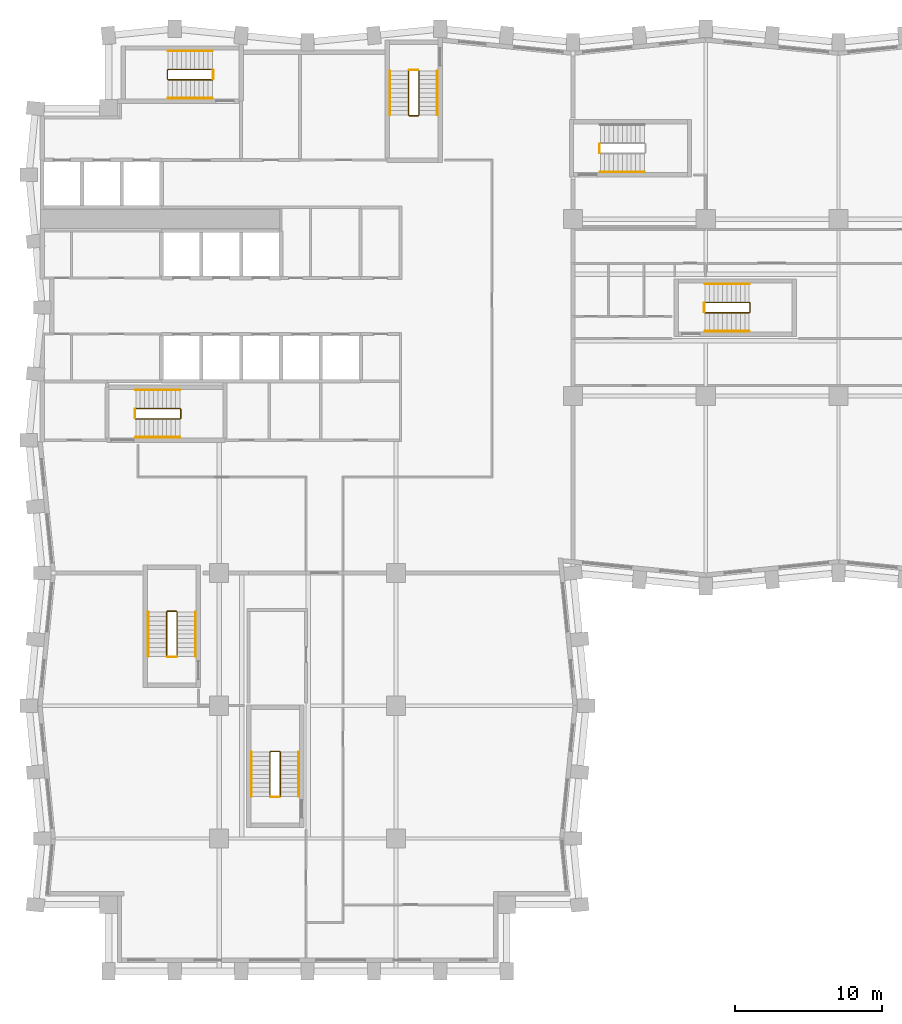
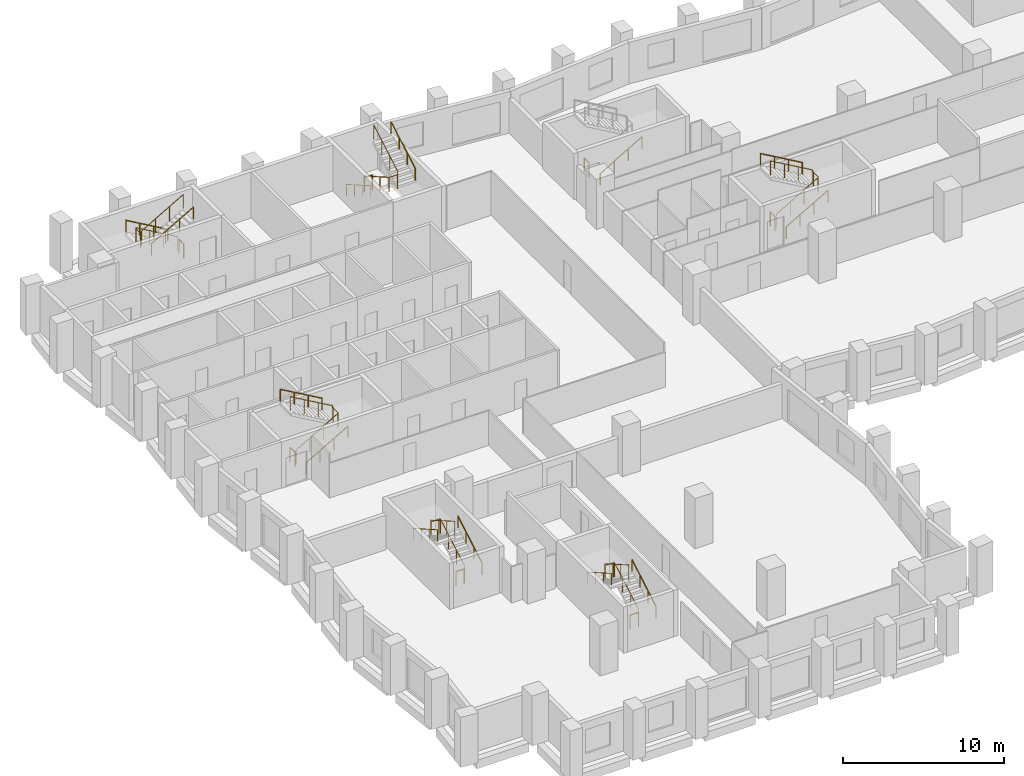
# One storey, part 10 of 11: 26 railings.
"""IFC4 building model written with IfcOpenShell, lengths in metres."""

from ifc_helpers import new_model, si_unit, direction, frame, origin, origin_2d, place, context, subcontext, project, spatial, circle, extrude, material, type_object, element, save


model = new_model("IFC4")

# Units and contexts
model_context = context("Model", 3, precision=1e-05, world=origin(), true_north=direction((0.0, 1.0)))
body_context = subcontext(model_context, "Body", "Model", "MODEL_VIEW")
ifc_project = project(units=[si_unit("LENGTHUNIT", "METRE"), si_unit("AREAUNIT", "SQUARE_METRE"), si_unit("VOLUMEUNIT", "CUBIC_METRE"), si_unit("PLANEANGLEUNIT", "RADIAN"), si_unit("MASSUNIT", "GRAM", prefix="KILO")], contexts=[model_context])

# Site, building, storey
site_placement = place(None, origin())
site = spatial("IfcSite", under=ifc_project, at=site_placement, CompositionType="ELEMENT")
building_placement = place(site_placement, origin())
building = spatial("IfcBuilding", under=site, at=building_placement, Name="Brondeck Convention Tower", CompositionType="ELEMENT")
storey_placement = place(building_placement, frame((0.0, 0.0, 130.300048828125)))
storey = spatial("IfcBuildingStorey", under=building, at=storey_placement, Name="L31", CompositionType="ELEMENT", Elevation=130.300048828125)

# Railings
ifc_material = material(Name="Steel S355", Category="steel")
railing_type_1 = type_object("IfcRailingType", Name="Stair guard 1100", PredefinedType="GUARDRAIL", material=ifc_material)
railing_1_placement = place(storey_placement, frame((6.35009765625, 37.449951171875, 0.172607421875)))
element("IfcRailing", 1, at=railing_1_placement, inside=storey, type_object=railing_type_1, Name="L31 ST-1 stair guard 1", PredefinedType="GUARDRAIL", context=body_context, shape_type="SweptSolid", body=[
    extrude(circle(Radius=0.02392578125, at=origin_2d()), frame((0.0, 0.0, 1.076171875), z_axis=(0.866619684472, 0.0, 0.498969260062), x_axis=(0.0, 1.0, 0.0)), (0.0, 0.0, 1.0), 3.461669921875),
    extrude(circle(Radius=0.02392578125, at=origin_2d()), frame((3.0, 0.0, 2.80322265625), z_axis=(0.705375805398, 0.708833529934, 0.0), x_axis=(-0.708833529934, 0.705375805398, 0.0)), (0.0, 0.0, 1.0), 0.070556640625),
    extrude(circle(Radius=0.02392578125, at=origin_2d()), frame((3.0498046875, 0.050048828125, 2.80322265625), z_axis=(0.0, 1.0, 0.0), x_axis=(-1.0, 0.0, 0.0)), (0.0, 0.0, 1.0), 0.60009765625),
    extrude(circle(Radius=0.02392578125, at=origin_2d()), frame((3.0498046875, 0.650146484375, 2.80322265625), z_axis=(-0.266832911964, 0.266832911964, 0.926067165051), x_axis=(-0.707106781187, -0.707106781187, 0.0)), (0.0, 0.0, 1.0), 0.186767578125),
    extrude(circle(Radius=0.02392578125, at=origin_2d()), frame((3.0, 0.699951171875, 2.97607421875), z_axis=(-0.866619684472, 0.0, 0.498969260062), x_axis=(0.0, -1.0, 0.0)), (0.0, 0.0, 1.0), 3.461669921875),
    extrude(circle(Radius=0.02099609375, at=origin_2d()), origin(), (0.0, 0.0, 1.0), 1.052001953125),
    extrude(circle(Radius=0.02099609375, at=origin_2d()), frame((1.0, 0.0, 0.57568359375)), (0.0, 0.0, 1.0), 1.052001953125),
    extrude(circle(Radius=0.02099609375, at=origin_2d()), frame((2.0, 0.0, 1.151611328125)), (0.0, 0.0, 1.0), 1.052001953125),
    extrude(circle(Radius=0.02099609375, at=origin_2d()), frame((3.0, 0.0, 1.727294921875)), (0.0, 0.0, 1.0), 1.052001953125),
    extrude(circle(Radius=0.02099609375, at=origin_2d()), frame((3.0498046875, 0.050048828125, 1.727294921875)), (0.0, 0.0, 1.0), 1.052001953125),
    extrude(circle(Radius=0.02099609375, at=origin_2d()), frame((3.0498046875, 0.650146484375, 1.727294921875)), (0.0, 0.0, 1.0), 1.052001953125),
    extrude(circle(Radius=0.02099609375, at=origin_2d()), frame((3.0, 0.699951171875, 1.900146484375)), (0.0, 0.0, 1.0), 1.052001953125),
    extrude(circle(Radius=0.02099609375, at=origin_2d()), frame((2.0, 0.699951171875, 2.475830078125)), (0.0, 0.0, 1.0), 1.052001953125),
    extrude(circle(Radius=0.02099609375, at=origin_2d()), frame((1.0, 0.699951171875, 3.0517578125)), (0.0, 0.0, 1.0), 1.052001953125),
    extrude(circle(Radius=0.02099609375, at=origin_2d()), frame((0.0, 0.699951171875, 3.62744140625)), (0.0, 0.0, 1.0), 1.052001953125),
])
railing_2_placement = place(storey_placement, frame((6.300048828125, 37.5, 0.0)))
element("IfcRailing", 2, at=railing_2_placement, inside=storey, type_object=railing_type_1, Name="L31 ST-1 stair guard 2", PredefinedType="GUARDRAIL", context=body_context, shape_type="SweptSolid", body=[
    extrude(circle(Radius=0.02392578125, at=origin_2d()), frame((0.0, 0.0, 1.076171875), z_axis=(0.0, 1.0, 0.0), x_axis=(-1.0, 0.0, 0.0)), (0.0, 0.0, 1.0), 0.60009765625),
    extrude(circle(Radius=0.02099609375, at=origin_2d()), origin(), (0.0, 0.0, 1.0), 1.052001953125),
    extrude(circle(Radius=0.02099609375, at=origin_2d()), frame((0.0, 0.60009765625, 0.0)), (0.0, 0.0, 1.0), 1.052001953125),
])
railing_3_placement = place(storey_placement, frame((24.85009765625, 61.050048828125, 0.172607421875)))
element("IfcRailing", 3, at=railing_3_placement, inside=storey, type_object=railing_type_1, Name="L31 ST-2 stair guard 1", PredefinedType="GUARDRAIL", context=body_context, shape_type="SweptSolid", body=[
    extrude(circle(Radius=0.02392578125, at=origin_2d()), frame((0.0, 0.0, 1.076171875), z_axis=(0.0, -0.866619684472, 0.498969260062), x_axis=(1.0, 0.0, 0.0)), (0.0, 0.0, 1.0), 3.461669921875),
    extrude(circle(Radius=0.02392578125, at=origin_2d()), frame((0.0, -3.0, 2.80322265625), z_axis=(0.705375805398, -0.708833529934, 0.0), x_axis=(0.708833529934, 0.705375805398, 0.0)), (0.0, 0.0, 1.0), 0.070556640625),
    extrude(circle(Radius=0.02392578125, at=origin_2d()), frame((0.0498046875, -3.050048828125, 2.80322265625), z_axis=(1.0, 0.0, 0.0), x_axis=(0.0, 1.0, 0.0)), (0.0, 0.0, 1.0), 0.60009765625),
    extrude(circle(Radius=0.02392578125, at=origin_2d()), frame((0.64990234375, -3.050048828125, 2.80322265625), z_axis=(0.267953482034, 0.267953482034, 0.925419830635), x_axis=(-0.707106781187, 0.707106781187, 0.0)), (0.0, 0.0, 1.0), 0.186767578125),
    extrude(circle(Radius=0.02392578125, at=origin_2d()), frame((0.699951171875, -3.0, 2.97607421875), z_axis=(0.0, 0.866619684472, 0.498969260062), x_axis=(-1.0, 0.0, 0.0)), (0.0, 0.0, 1.0), 3.461669921875),
    extrude(circle(Radius=0.02099609375, at=origin_2d()), origin(), (0.0, 0.0, 1.0), 1.052001953125),
    extrude(circle(Radius=0.02099609375, at=origin_2d()), frame((0.0, -1.0, 0.57568359375)), (0.0, 0.0, 1.0), 1.052001953125),
    extrude(circle(Radius=0.02099609375, at=origin_2d()), frame((0.0, -2.0, 1.151611328125)), (0.0, 0.0, 1.0), 1.052001953125),
    extrude(circle(Radius=0.02099609375, at=origin_2d()), frame((0.0, -3.0, 1.727294921875)), (0.0, 0.0, 1.0), 1.052001953125),
    extrude(circle(Radius=0.02099609375, at=origin_2d()), frame((0.0498046875, -3.050048828125, 1.727294921875)), (0.0, 0.0, 1.0), 1.052001953125),
    extrude(circle(Radius=0.02099609375, at=origin_2d()), frame((0.64990234375, -3.050048828125, 1.727294921875)), (0.0, 0.0, 1.0), 1.052001953125),
    extrude(circle(Radius=0.02099609375, at=origin_2d()), frame((0.699951171875, -3.0, 1.900146484375)), (0.0, 0.0, 1.0), 1.052001953125),
    extrude(circle(Radius=0.02099609375, at=origin_2d()), frame((0.699951171875, -2.0, 2.475830078125)), (0.0, 0.0, 1.0), 1.052001953125),
    extrude(circle(Radius=0.02099609375, at=origin_2d()), frame((0.699951171875, -1.0, 3.0517578125)), (0.0, 0.0, 1.0), 1.052001953125),
    extrude(circle(Radius=0.02099609375, at=origin_2d()), frame((0.699951171875, 0.0, 3.62744140625)), (0.0, 0.0, 1.0), 1.052001953125),
])
railing_4_placement = place(storey_placement, frame((24.89990234375, 61.10009765625, 0.0)))
element("IfcRailing", 4, at=railing_4_placement, inside=storey, type_object=railing_type_1, Name="L31 ST-2 stair guard 2", PredefinedType="GUARDRAIL", context=body_context, shape_type="SweptSolid", body=[
    extrude(circle(Radius=0.02392578125, at=origin_2d()), frame((0.0, 0.0, 1.076171875), z_axis=(1.0, 0.0, 0.0), x_axis=(0.0, 1.0, 0.0)), (0.0, 0.0, 1.0), 0.60009765625),
    extrude(circle(Radius=0.02099609375, at=origin_2d()), origin(), (0.0, 0.0, 1.0), 1.052001953125),
    extrude(circle(Radius=0.02099609375, at=origin_2d()), frame((0.60009765625, 0.0, 0.0)), (0.0, 0.0, 1.0), 1.052001953125),
])
railing_5_placement = place(storey_placement, frame((11.550048828125, 61.14990234375, 0.172607421875)))
element("IfcRailing", 5, at=railing_5_placement, inside=storey, type_object=railing_type_1, Name="L31 ST-3 stair guard 1", PredefinedType="GUARDRAIL", context=body_context, shape_type="SweptSolid", body=[
    extrude(circle(Radius=0.02392578125, at=origin_2d()), frame((0.0, 0.0, 1.076171875), z_axis=(-0.866619684472, 0.0, 0.498969260062), x_axis=(0.0, -1.0, 0.0)), (0.0, 0.0, 1.0), 3.461669921875),
    extrude(circle(Radius=0.02392578125, at=origin_2d()), frame((-3.0, 0.0, 2.80322265625), z_axis=(-0.708833529934, -0.705375805398, 0.0), x_axis=(0.705375805398, -0.708833529934, 0.0)), (0.0, 0.0, 1.0), 0.070556640625),
    extrude(circle(Radius=0.02392578125, at=origin_2d()), frame((-3.050048828125, -0.0498046875, 2.80322265625), z_axis=(0.0, -1.0, 0.0), x_axis=(1.0, 0.0, 0.0)), (0.0, 0.0, 1.0), 0.60009765625),
    extrude(circle(Radius=0.02392578125, at=origin_2d()), frame((-3.050048828125, -0.64990234375, 2.80322265625), z_axis=(0.267953482034, -0.267953482034, 0.925419830635), x_axis=(0.707106781187, 0.707106781187, 0.0)), (0.0, 0.0, 1.0), 0.186767578125),
    extrude(circle(Radius=0.02392578125, at=origin_2d()), frame((-3.0, -0.699951171875, 2.97607421875), z_axis=(0.866619684472, 0.0, 0.498969260062), x_axis=(0.0, 1.0, 0.0)), (0.0, 0.0, 1.0), 3.461669921875),
    extrude(circle(Radius=0.02099609375, at=origin_2d()), origin(), (0.0, 0.0, 1.0), 1.052001953125),
    extrude(circle(Radius=0.02099609375, at=origin_2d()), frame((-1.0, 0.0, 0.57568359375)), (0.0, 0.0, 1.0), 1.052001953125),
    extrude(circle(Radius=0.02099609375, at=origin_2d()), frame((-2.0, 0.0, 1.151611328125)), (0.0, 0.0, 1.0), 1.052001953125),
    extrude(circle(Radius=0.02099609375, at=origin_2d()), frame((-3.0, 0.0, 1.727294921875)), (0.0, 0.0, 1.0), 1.052001953125),
    extrude(circle(Radius=0.02099609375, at=origin_2d()), frame((-3.050048828125, -0.0498046875, 1.727294921875)), (0.0, 0.0, 1.0), 1.052001953125),
    extrude(circle(Radius=0.02099609375, at=origin_2d()), frame((-3.050048828125, -0.64990234375, 1.727294921875)), (0.0, 0.0, 1.0), 1.052001953125),
    extrude(circle(Radius=0.02099609375, at=origin_2d()), frame((-3.0, -0.699951171875, 1.900146484375)), (0.0, 0.0, 1.0), 1.052001953125),
    extrude(circle(Radius=0.02099609375, at=origin_2d()), frame((-2.0, -0.699951171875, 2.475830078125)), (0.0, 0.0, 1.0), 1.052001953125),
    extrude(circle(Radius=0.02099609375, at=origin_2d()), frame((-1.0, -0.699951171875, 3.0517578125)), (0.0, 0.0, 1.0), 1.052001953125),
    extrude(circle(Radius=0.02099609375, at=origin_2d()), frame((0.0, -0.699951171875, 3.62744140625)), (0.0, 0.0, 1.0), 1.052001953125),
])
railing_6_placement = place(storey_placement, frame((11.60009765625, 61.10009765625, 0.0)))
element("IfcRailing", 6, at=railing_6_placement, inside=storey, type_object=railing_type_1, Name="L31 ST-3 stair guard 2", PredefinedType="GUARDRAIL", context=body_context, shape_type="SweptSolid", body=[
    extrude(circle(Radius=0.02392578125, at=origin_2d()), frame((0.0, 0.0, 1.076171875), z_axis=(0.0, -1.0, 0.0), x_axis=(1.0, 0.0, 0.0)), (0.0, 0.0, 1.0), 0.60009765625),
    extrude(circle(Radius=0.02099609375, at=origin_2d()), origin(), (0.0, 0.0, 1.0), 1.052001953125),
    extrude(circle(Radius=0.02099609375, at=origin_2d()), frame((0.0, -0.60009765625, 0.0)), (0.0, 0.0, 1.0), 1.052001953125),
])
railing_7_placement = place(storey_placement, frame((37.800048828125, 55.5, 0.0)))
element("IfcRailing", 7, at=railing_7_placement, inside=storey, type_object=railing_type_1, Name="L31 ST-AE stair guard 2", PredefinedType="GUARDRAIL", context=body_context, shape_type="SweptSolid", body=[
    extrude(circle(Radius=0.02392578125, at=origin_2d()), frame((0.0, 0.0, 1.076171875), z_axis=(0.0, 1.0, 0.0), x_axis=(-1.0, 0.0, 0.0)), (0.0, 0.0, 1.0), 0.60009765625),
    extrude(circle(Radius=0.02099609375, at=origin_2d()), origin(), (0.0, 0.0, 1.0), 1.052001953125),
    extrude(circle(Radius=0.02099609375, at=origin_2d()), frame((0.0, 0.60009765625, 0.0)), (0.0, 0.0, 1.0), 1.052001953125),
])
railing_8_placement = place(storey_placement, frame((9.14990234375, 21.35009765625, 0.172607421875)))
element("IfcRailing", 8, at=railing_8_placement, inside=storey, type_object=railing_type_1, Name="L31 ST-BE stair guard 1", PredefinedType="GUARDRAIL", context=body_context, shape_type="SweptSolid", body=[
    extrude(circle(Radius=0.02392578125, at=origin_2d()), frame((0.0, 0.0, 1.076171875), z_axis=(0.0, 0.866619684472, 0.498969260062), x_axis=(-1.0, 0.0, 0.0)), (0.0, 0.0, 1.0), 3.461669921875),
    extrude(circle(Radius=0.02392578125, at=origin_2d()), frame((0.0, 3.0, 2.80322265625), z_axis=(-0.707106781187, 0.707106781187, 0.0), x_axis=(-0.707106781187, -0.707106781187, 0.0)), (0.0, 0.0, 1.0), 0.0703125),
    extrude(circle(Radius=0.02392578125, at=origin_2d()), frame((-0.0498046875, 3.0498046875, 2.80322265625), z_axis=(-1.0, 0.0, 0.0), x_axis=(0.0, -1.0, 0.0)), (0.0, 0.0, 1.0), 0.60009765625),
    extrude(circle(Radius=0.02392578125, at=origin_2d()), frame((-0.64990234375, 3.0498046875, 2.80322265625), z_axis=(-0.268047150085, -0.266739603011, 0.925743328097), x_axis=(0.705375805398, -0.708833529934, 0.0)), (0.0, 0.0, 1.0), 0.186767578125),
    extrude(circle(Radius=0.02392578125, at=origin_2d()), frame((-0.699951171875, 3.0, 2.97607421875), z_axis=(0.0, -0.866619684472, 0.498969260062), x_axis=(1.0, 0.0, 0.0)), (0.0, 0.0, 1.0), 3.461669921875),
    extrude(circle(Radius=0.02099609375, at=origin_2d()), origin(), (0.0, 0.0, 1.0), 1.052001953125),
    extrude(circle(Radius=0.02099609375, at=origin_2d()), frame((0.0, 1.0, 0.57568359375)), (0.0, 0.0, 1.0), 1.052001953125),
    extrude(circle(Radius=0.02099609375, at=origin_2d()), frame((0.0, 2.0, 1.151611328125)), (0.0, 0.0, 1.0), 1.052001953125),
    extrude(circle(Radius=0.02099609375, at=origin_2d()), frame((0.0, 3.0, 1.727294921875)), (0.0, 0.0, 1.0), 1.052001953125),
    extrude(circle(Radius=0.02099609375, at=origin_2d()), frame((-0.0498046875, 3.0498046875, 1.727294921875)), (0.0, 0.0, 1.0), 1.052001953125),
    extrude(circle(Radius=0.02099609375, at=origin_2d()), frame((-0.64990234375, 3.0498046875, 1.727294921875)), (0.0, 0.0, 1.0), 1.052001953125),
    extrude(circle(Radius=0.02099609375, at=origin_2d()), frame((-0.699951171875, 3.0, 1.900146484375)), (0.0, 0.0, 1.0), 1.052001953125),
    extrude(circle(Radius=0.02099609375, at=origin_2d()), frame((-0.699951171875, 2.0, 2.475830078125)), (0.0, 0.0, 1.0), 1.052001953125),
    extrude(circle(Radius=0.02099609375, at=origin_2d()), frame((-0.699951171875, 1.0, 3.0517578125)), (0.0, 0.0, 1.0), 1.052001953125),
    extrude(circle(Radius=0.02099609375, at=origin_2d()), frame((-0.699951171875, 0.0, 3.62744140625)), (0.0, 0.0, 1.0), 1.052001953125),
])
railing_9_placement = place(storey_placement, frame((9.10009765625, 21.300048828125, 0.0)))
element("IfcRailing", 9, at=railing_9_placement, inside=storey, type_object=railing_type_1, Name="L31 ST-BE stair guard 2", PredefinedType="GUARDRAIL", context=body_context, shape_type="SweptSolid", body=[
    extrude(circle(Radius=0.02392578125, at=origin_2d()), frame((0.0, 0.0, 1.076171875), z_axis=(-1.0, 0.0, 0.0), x_axis=(0.0, -1.0, 0.0)), (0.0, 0.0, 1.0), 0.60009765625),
    extrude(circle(Radius=0.02099609375, at=origin_2d()), origin(), (0.0, 0.0, 1.0), 1.052001953125),
    extrude(circle(Radius=0.02099609375, at=origin_2d()), frame((-0.60009765625, 0.0, 0.0)), (0.0, 0.0, 1.0), 1.052001953125),
])
railing_10_placement = place(storey_placement, frame((44.949951171875, 44.64990234375, 0.172607421875)))
element("IfcRailing", 10, at=railing_10_placement, inside=storey, type_object=railing_type_1, Name="L31 ST-AF stair guard 1", PredefinedType="GUARDRAIL", context=body_context, shape_type="SweptSolid", body=[
    extrude(circle(Radius=0.02392578125, at=origin_2d()), frame((0.0, 0.0, 1.076171875), z_axis=(0.866619684472, 0.0, 0.498969260062), x_axis=(0.0, 1.0, 0.0)), (0.0, 0.0, 1.0), 3.461669921875),
    extrude(circle(Radius=0.02392578125, at=origin_2d()), frame((3.0, 0.0, 2.80322265625), z_axis=(0.707106781187, 0.707106781187, 0.0), x_axis=(-0.707106781187, 0.707106781187, 0.0)), (0.0, 0.0, 1.0), 0.07080078125),
    extrude(circle(Radius=0.02392578125, at=origin_2d()), frame((3.050048828125, 0.050048828125, 2.80322265625), z_axis=(0.0, 1.0, 0.0), x_axis=(-1.0, 0.0, 0.0)), (0.0, 0.0, 1.0), 0.60009765625),
    extrude(circle(Radius=0.02392578125, at=origin_2d()), frame((3.050048828125, 0.650146484375, 2.80322265625), z_axis=(-0.267953482034, 0.267953482034, 0.925419830635), x_axis=(-0.707106781187, -0.707106781187, 0.0)), (0.0, 0.0, 1.0), 0.186767578125),
    extrude(circle(Radius=0.02392578125, at=origin_2d()), frame((3.0, 0.7001953125, 2.97607421875), z_axis=(-0.866619684472, 0.0, 0.498969260062), x_axis=(0.0, -1.0, 0.0)), (0.0, 0.0, 1.0), 3.461669921875),
    extrude(circle(Radius=0.02099609375, at=origin_2d()), origin(), (0.0, 0.0, 1.0), 1.052001953125),
    extrude(circle(Radius=0.02099609375, at=origin_2d()), frame((1.0, 0.0, 0.57568359375)), (0.0, 0.0, 1.0), 1.052001953125),
    extrude(circle(Radius=0.02099609375, at=origin_2d()), frame((2.0, 0.0, 1.151611328125)), (0.0, 0.0, 1.0), 1.052001953125),
    extrude(circle(Radius=0.02099609375, at=origin_2d()), frame((3.0, 0.0, 1.727294921875)), (0.0, 0.0, 1.0), 1.052001953125),
    extrude(circle(Radius=0.02099609375, at=origin_2d()), frame((3.050048828125, 0.050048828125, 1.727294921875)), (0.0, 0.0, 1.0), 1.052001953125),
    extrude(circle(Radius=0.02099609375, at=origin_2d()), frame((3.050048828125, 0.650146484375, 1.727294921875)), (0.0, 0.0, 1.0), 1.052001953125),
    extrude(circle(Radius=0.02099609375, at=origin_2d()), frame((3.0, 0.7001953125, 1.900146484375)), (0.0, 0.0, 1.0), 1.052001953125),
    extrude(circle(Radius=0.02099609375, at=origin_2d()), frame((2.0, 0.7001953125, 2.475830078125)), (0.0, 0.0, 1.0), 1.052001953125),
    extrude(circle(Radius=0.02099609375, at=origin_2d()), frame((1.0, 0.7001953125, 3.0517578125)), (0.0, 0.0, 1.0), 1.052001953125),
    extrude(circle(Radius=0.02099609375, at=origin_2d()), frame((0.0, 0.7001953125, 3.62744140625)), (0.0, 0.0, 1.0), 1.052001953125),
])
railing_11_placement = place(storey_placement, frame((44.89990234375, 44.699951171875, 0.0)))
element("IfcRailing", 11, at=railing_11_placement, inside=storey, type_object=railing_type_1, Name="L31 ST-AF stair guard 2", PredefinedType="GUARDRAIL", context=body_context, shape_type="SweptSolid", body=[
    extrude(circle(Radius=0.02392578125, at=origin_2d()), frame((0.0, 0.0, 1.076171875), z_axis=(0.0, 1.0, 0.0), x_axis=(-1.0, 0.0, 0.0)), (0.0, 0.0, 1.0), 0.60009765625),
    extrude(circle(Radius=0.02099609375, at=origin_2d()), origin(), (0.0, 0.0, 1.0), 1.052001953125),
    extrude(circle(Radius=0.02099609375, at=origin_2d()), frame((0.0, 0.60009765625, 0.0)), (0.0, 0.0, 1.0), 1.052001953125),
])
railing_12_placement = place(storey_placement, frame((16.14990234375, 11.85009765625, 0.172607421875)))
element("IfcRailing", 12, at=railing_12_placement, inside=storey, type_object=railing_type_1, Name="L31 ST-BF stair guard 1", PredefinedType="GUARDRAIL", context=body_context, shape_type="SweptSolid", body=[
    extrude(circle(Radius=0.02392578125, at=origin_2d()), frame((0.0, 0.0, 1.076171875), z_axis=(0.0, 0.866619684472, 0.498969260062), x_axis=(-1.0, 0.0, 0.0)), (0.0, 0.0, 1.0), 3.461669921875),
    extrude(circle(Radius=0.02392578125, at=origin_2d()), frame((0.0, 3.0, 2.80322265625), z_axis=(-0.707106781187, 0.707106781187, 0.0), x_axis=(-0.707106781187, -0.707106781187, 0.0)), (0.0, 0.0, 1.0), 0.0703125),
    extrude(circle(Radius=0.02392578125, at=origin_2d()), frame((-0.0498046875, 3.0498046875, 2.80322265625), z_axis=(-1.0, 0.0, 0.0), x_axis=(0.0, -1.0, 0.0)), (0.0, 0.0, 1.0), 0.60009765625),
    extrude(circle(Radius=0.02392578125, at=origin_2d()), frame((-0.64990234375, 3.0498046875, 2.80322265625), z_axis=(-0.268047150085, -0.266739603011, 0.925743328097), x_axis=(0.705375805398, -0.708833529934, 0.0)), (0.0, 0.0, 1.0), 0.186767578125),
    extrude(circle(Radius=0.02392578125, at=origin_2d()), frame((-0.699951171875, 3.0, 2.97607421875), z_axis=(0.0, -0.866619684472, 0.498969260062), x_axis=(1.0, 0.0, 0.0)), (0.0, 0.0, 1.0), 3.461669921875),
    extrude(circle(Radius=0.02099609375, at=origin_2d()), origin(), (0.0, 0.0, 1.0), 1.052001953125),
    extrude(circle(Radius=0.02099609375, at=origin_2d()), frame((0.0, 1.0, 0.57568359375)), (0.0, 0.0, 1.0), 1.052001953125),
    extrude(circle(Radius=0.02099609375, at=origin_2d()), frame((0.0, 2.0, 1.151611328125)), (0.0, 0.0, 1.0), 1.052001953125),
    extrude(circle(Radius=0.02099609375, at=origin_2d()), frame((0.0, 3.0, 1.727294921875)), (0.0, 0.0, 1.0), 1.052001953125),
    extrude(circle(Radius=0.02099609375, at=origin_2d()), frame((-0.0498046875, 3.0498046875, 1.727294921875)), (0.0, 0.0, 1.0), 1.052001953125),
    extrude(circle(Radius=0.02099609375, at=origin_2d()), frame((-0.64990234375, 3.0498046875, 1.727294921875)), (0.0, 0.0, 1.0), 1.052001953125),
    extrude(circle(Radius=0.02099609375, at=origin_2d()), frame((-0.699951171875, 3.0, 1.900146484375)), (0.0, 0.0, 1.0), 1.052001953125),
    extrude(circle(Radius=0.02099609375, at=origin_2d()), frame((-0.699951171875, 2.0, 2.475830078125)), (0.0, 0.0, 1.0), 1.052001953125),
    extrude(circle(Radius=0.02099609375, at=origin_2d()), frame((-0.699951171875, 1.0, 3.0517578125)), (0.0, 0.0, 1.0), 1.052001953125),
    extrude(circle(Radius=0.02099609375, at=origin_2d()), frame((-0.699951171875, 0.0, 3.62744140625)), (0.0, 0.0, 1.0), 1.052001953125),
])
railing_13_placement = place(storey_placement, frame((16.10009765625, 11.800048828125, 0.0)))
element("IfcRailing", 13, at=railing_13_placement, inside=storey, type_object=railing_type_1, Name="L31 ST-BF stair guard 2", PredefinedType="GUARDRAIL", context=body_context, shape_type="SweptSolid", body=[
    extrude(circle(Radius=0.02392578125, at=origin_2d()), frame((0.0, 0.0, 1.076171875), z_axis=(-1.0, 0.0, 0.0), x_axis=(0.0, -1.0, 0.0)), (0.0, 0.0, 1.0), 0.60009765625),
    extrude(circle(Radius=0.02099609375, at=origin_2d()), origin(), (0.0, 0.0, 1.0), 1.052001953125),
    extrude(circle(Radius=0.02099609375, at=origin_2d()), frame((-0.60009765625, 0.0, 0.0)), (0.0, 0.0, 1.0), 1.052001953125),
])
railing_type_2 = type_object("IfcRailingType", Name="Stair handrail", PredefinedType="HANDRAIL", material=ifc_material)
railing_14_placement = place(storey_placement, frame((6.35009765625, 36.199951171875, 0.172607421875)))
element("IfcRailing", 14, at=railing_14_placement, inside=storey, type_object=railing_type_2, Name="L31 ST-1 stair handrail 1", PredefinedType="HANDRAIL", context=body_context, shape_type="SweptSolid", body=[
    extrude(circle(Radius=0.02392578125, at=origin_2d()), frame((0.0, 0.0, 0.8759765625), z_axis=(0.866619684472, 0.0, 0.498969260062), x_axis=(0.0, 1.0, 0.0)), (0.0, 0.0, 1.0), 3.461669921875),
    extrude(circle(Radius=0.02099609375, at=origin_2d()), origin(), (0.0, 0.0, 1.0), 0.851806640625),
    extrude(circle(Radius=0.02099609375, at=origin_2d()), frame((1.0, 0.0, 0.57568359375)), (0.0, 0.0, 1.0), 0.851806640625),
    extrude(circle(Radius=0.02099609375, at=origin_2d()), frame((2.0, 0.0, 1.151611328125)), (0.0, 0.0, 1.0), 0.851806640625),
    extrude(circle(Radius=0.02099609375, at=origin_2d()), frame((3.0, 0.0, 1.727294921875)), (0.0, 0.0, 1.0), 0.851806640625),
])
railing_15_placement = place(storey_placement, frame((9.35009765625, 39.39990234375, 2.07275390625)))
element("IfcRailing", 15, at=railing_15_placement, inside=storey, type_object=railing_type_2, Name="L31 ST-1 stair handrail 2", PredefinedType="HANDRAIL", context=body_context, shape_type="SweptSolid", body=[
    extrude(circle(Radius=0.02392578125, at=origin_2d()), frame((0.0, 0.0, 0.8759765625), z_axis=(-0.866619684472, 0.0, 0.498969260062), x_axis=(0.0, -1.0, 0.0)), (0.0, 0.0, 1.0), 3.461669921875),
    extrude(circle(Radius=0.02099609375, at=origin_2d()), origin(), (0.0, 0.0, 1.0), 0.851806640625),
    extrude(circle(Radius=0.02099609375, at=origin_2d()), frame((-1.0, 0.0, 0.57568359375)), (0.0, 0.0, 1.0), 0.851806640625),
    extrude(circle(Radius=0.02099609375, at=origin_2d()), frame((-2.0, 0.0, 1.151611328125)), (0.0, 0.0, 1.0), 0.851806640625),
    extrude(circle(Radius=0.02099609375, at=origin_2d()), frame((-3.0, 0.0, 1.727294921875)), (0.0, 0.0, 1.0), 0.851806640625),
])
railing_16_placement = place(storey_placement, frame((23.60009765625, 61.050048828125, 0.172607421875)))
element("IfcRailing", 16, at=railing_16_placement, inside=storey, type_object=railing_type_2, Name="L31 ST-2 stair handrail 1", PredefinedType="HANDRAIL", context=body_context, shape_type="SweptSolid", body=[
    extrude(circle(Radius=0.02392578125, at=origin_2d()), frame((0.0, 0.0, 0.8759765625), z_axis=(0.0, -0.866619684472, 0.498969260062), x_axis=(1.0, 0.0, 0.0)), (0.0, 0.0, 1.0), 3.461669921875),
    extrude(circle(Radius=0.02099609375, at=origin_2d()), origin(), (0.0, 0.0, 1.0), 0.851806640625),
    extrude(circle(Radius=0.02099609375, at=origin_2d()), frame((0.0, -1.0, 0.57568359375)), (0.0, 0.0, 1.0), 0.851806640625),
    extrude(circle(Radius=0.02099609375, at=origin_2d()), frame((0.0, -2.0, 1.151611328125)), (0.0, 0.0, 1.0), 0.851806640625),
    extrude(circle(Radius=0.02099609375, at=origin_2d()), frame((0.0, -3.0, 1.727294921875)), (0.0, 0.0, 1.0), 0.851806640625),
])
railing_17_placement = place(storey_placement, frame((26.800048828125, 58.050048828125, 2.07275390625)))
element("IfcRailing", 17, at=railing_17_placement, inside=storey, type_object=railing_type_2, Name="L31 ST-2 stair handrail 2", PredefinedType="HANDRAIL", context=body_context, shape_type="SweptSolid", body=[
    extrude(circle(Radius=0.02392578125, at=origin_2d()), frame((0.0, 0.0, 0.8759765625), z_axis=(0.0, 0.866619684472, 0.498969260062), x_axis=(-1.0, 0.0, 0.0)), (0.0, 0.0, 1.0), 3.461669921875),
    extrude(circle(Radius=0.02099609375, at=origin_2d()), origin(), (0.0, 0.0, 1.0), 0.851806640625),
    extrude(circle(Radius=0.02099609375, at=origin_2d()), frame((0.0, 1.0, 0.57568359375)), (0.0, 0.0, 1.0), 0.851806640625),
    extrude(circle(Radius=0.02099609375, at=origin_2d()), frame((0.0, 2.0, 1.151611328125)), (0.0, 0.0, 1.0), 0.851806640625),
    extrude(circle(Radius=0.02099609375, at=origin_2d()), frame((0.0, 3.0, 1.727294921875)), (0.0, 0.0, 1.0), 0.851806640625),
])
railing_18_placement = place(storey_placement, frame((11.550048828125, 62.39990234375, 0.172607421875)))
element("IfcRailing", 18, at=railing_18_placement, inside=storey, type_object=railing_type_2, Name="L31 ST-3 stair handrail 1", PredefinedType="HANDRAIL", context=body_context, shape_type="SweptSolid", body=[
    extrude(circle(Radius=0.02392578125, at=origin_2d()), frame((0.0, 0.0, 0.8759765625), z_axis=(-0.866619684472, 0.0, 0.498969260062), x_axis=(0.0, -1.0, 0.0)), (0.0, 0.0, 1.0), 3.461669921875),
    extrude(circle(Radius=0.02099609375, at=origin_2d()), origin(), (0.0, 0.0, 1.0), 0.851806640625),
    extrude(circle(Radius=0.02099609375, at=origin_2d()), frame((-1.0, 0.0, 0.57568359375)), (0.0, 0.0, 1.0), 0.851806640625),
    extrude(circle(Radius=0.02099609375, at=origin_2d()), frame((-2.0, 0.0, 1.151611328125)), (0.0, 0.0, 1.0), 0.851806640625),
    extrude(circle(Radius=0.02099609375, at=origin_2d()), frame((-3.0, 0.0, 1.727294921875)), (0.0, 0.0, 1.0), 0.851806640625),
])
for number, where, name in (
    (19, (8.550048828125, 59.199951171875, 2.07275390625), "L31 ST-3 stair handrail 2"),
    (20, (37.85009765625, 54.199951171875, 0.172607421875), "L31 ST-AE stair handrail 1"),
):
    element("IfcRailing", number, at=place(storey_placement, frame(where)), inside=storey, type_object=railing_type_2, Name=name, PredefinedType="HANDRAIL", context=body_context, shape_type="SweptSolid", body=[
        extrude(circle(Radius=0.02392578125, at=origin_2d()), frame((0.0, 0.0, 0.8759765625), z_axis=(0.866619684472, 0.0, 0.498969260062), x_axis=(0.0, 1.0, 0.0)), (0.0, 0.0, 1.0), 3.461669921875),
        extrude(circle(Radius=0.02099609375, at=origin_2d()), origin(), (0.0, 0.0, 1.0), 0.851806640625),
        extrude(circle(Radius=0.02099609375, at=origin_2d()), frame((1.0, 0.0, 0.57568359375)), (0.0, 0.0, 1.0), 0.851806640625),
        extrude(circle(Radius=0.02099609375, at=origin_2d()), frame((2.0, 0.0, 1.151611328125)), (0.0, 0.0, 1.0), 0.851806640625),
        extrude(circle(Radius=0.02099609375, at=origin_2d()), frame((3.0, 0.0, 1.727294921875)), (0.0, 0.0, 1.0), 0.851806640625),
    ])
railing_19_placement = place(storey_placement, frame((10.39990234375, 21.35009765625, 0.172607421875)))
element("IfcRailing", 21, at=railing_19_placement, inside=storey, type_object=railing_type_2, Name="L31 ST-BE stair handrail 1", PredefinedType="HANDRAIL", context=body_context, shape_type="SweptSolid", body=[
    extrude(circle(Radius=0.02392578125, at=origin_2d()), frame((0.0, 0.0, 0.8759765625), z_axis=(0.0, 0.866619684472, 0.498969260062), x_axis=(-1.0, 0.0, 0.0)), (0.0, 0.0, 1.0), 3.461669921875),
    extrude(circle(Radius=0.02099609375, at=origin_2d()), origin(), (0.0, 0.0, 1.0), 0.851806640625),
    extrude(circle(Radius=0.02099609375, at=origin_2d()), frame((0.0, 1.0, 0.57568359375)), (0.0, 0.0, 1.0), 0.851806640625),
    extrude(circle(Radius=0.02099609375, at=origin_2d()), frame((0.0, 2.0, 1.151611328125)), (0.0, 0.0, 1.0), 0.851806640625),
    extrude(circle(Radius=0.02099609375, at=origin_2d()), frame((0.0, 3.0, 1.727294921875)), (0.0, 0.0, 1.0), 0.851806640625),
])
railing_20_placement = place(storey_placement, frame((7.199951171875, 24.35009765625, 2.07275390625)))
element("IfcRailing", 22, at=railing_20_placement, inside=storey, type_object=railing_type_2, Name="L31 ST-BE stair handrail 2", PredefinedType="HANDRAIL", context=body_context, shape_type="SweptSolid", body=[
    extrude(circle(Radius=0.02392578125, at=origin_2d()), frame((0.0, 0.0, 0.8759765625), z_axis=(0.0, -0.866619684472, 0.498969260062), x_axis=(1.0, 0.0, 0.0)), (0.0, 0.0, 1.0), 3.461669921875),
    extrude(circle(Radius=0.02099609375, at=origin_2d()), origin(), (0.0, 0.0, 1.0), 0.851806640625),
    extrude(circle(Radius=0.02099609375, at=origin_2d()), frame((0.0, -1.0, 0.57568359375)), (0.0, 0.0, 1.0), 0.851806640625),
    extrude(circle(Radius=0.02099609375, at=origin_2d()), frame((0.0, -2.0, 1.151611328125)), (0.0, 0.0, 1.0), 0.851806640625),
    extrude(circle(Radius=0.02099609375, at=origin_2d()), frame((0.0, -3.0, 1.727294921875)), (0.0, 0.0, 1.0), 0.851806640625),
])
railing_21_placement = place(storey_placement, frame((44.949951171875, 43.39990234375, 0.172607421875)))
element("IfcRailing", 23, at=railing_21_placement, inside=storey, type_object=railing_type_2, Name="L31 ST-AF stair handrail 1", PredefinedType="HANDRAIL", context=body_context, shape_type="SweptSolid", body=[
    extrude(circle(Radius=0.02392578125, at=origin_2d()), frame((0.0, 0.0, 0.8759765625), z_axis=(0.866619684472, 0.0, 0.498969260062), x_axis=(0.0, 1.0, 0.0)), (0.0, 0.0, 1.0), 3.461669921875),
    extrude(circle(Radius=0.02099609375, at=origin_2d()), origin(), (0.0, 0.0, 1.0), 0.851806640625),
    extrude(circle(Radius=0.02099609375, at=origin_2d()), frame((1.0, 0.0, 0.57568359375)), (0.0, 0.0, 1.0), 0.851806640625),
    extrude(circle(Radius=0.02099609375, at=origin_2d()), frame((2.0, 0.0, 1.151611328125)), (0.0, 0.0, 1.0), 0.851806640625),
    extrude(circle(Radius=0.02099609375, at=origin_2d()), frame((3.0, 0.0, 1.727294921875)), (0.0, 0.0, 1.0), 0.851806640625),
])
railing_22_placement = place(storey_placement, frame((47.949951171875, 46.60009765625, 2.07275390625)))
element("IfcRailing", 24, at=railing_22_placement, inside=storey, type_object=railing_type_2, Name="L31 ST-AF stair handrail 2", PredefinedType="HANDRAIL", context=body_context, shape_type="SweptSolid", body=[
    extrude(circle(Radius=0.02392578125, at=origin_2d()), frame((0.0, 0.0, 0.8759765625), z_axis=(-0.866619684472, 0.0, 0.498969260062), x_axis=(0.0, -1.0, 0.0)), (0.0, 0.0, 1.0), 3.461669921875),
    extrude(circle(Radius=0.02099609375, at=origin_2d()), origin(), (0.0, 0.0, 1.0), 0.851806640625),
    extrude(circle(Radius=0.02099609375, at=origin_2d()), frame((-1.0, 0.0, 0.57568359375)), (0.0, 0.0, 1.0), 0.851806640625),
    extrude(circle(Radius=0.02099609375, at=origin_2d()), frame((-2.0, 0.0, 1.151611328125)), (0.0, 0.0, 1.0), 0.851806640625),
    extrude(circle(Radius=0.02099609375, at=origin_2d()), frame((-3.0, 0.0, 1.727294921875)), (0.0, 0.0, 1.0), 0.851806640625),
])
railing_23_placement = place(storey_placement, frame((17.39990234375, 11.85009765625, 0.172607421875)))
element("IfcRailing", 25, at=railing_23_placement, inside=storey, type_object=railing_type_2, Name="L31 ST-BF stair handrail 1", PredefinedType="HANDRAIL", context=body_context, shape_type="SweptSolid", body=[
    extrude(circle(Radius=0.02392578125, at=origin_2d()), frame((0.0, 0.0, 0.8759765625), z_axis=(0.0, 0.866619684472, 0.498969260062), x_axis=(-1.0, 0.0, 0.0)), (0.0, 0.0, 1.0), 3.461669921875),
    extrude(circle(Radius=0.02099609375, at=origin_2d()), origin(), (0.0, 0.0, 1.0), 0.851806640625),
    extrude(circle(Radius=0.02099609375, at=origin_2d()), frame((0.0, 1.0, 0.57568359375)), (0.0, 0.0, 1.0), 0.851806640625),
    extrude(circle(Radius=0.02099609375, at=origin_2d()), frame((0.0, 2.0, 1.151611328125)), (0.0, 0.0, 1.0), 0.851806640625),
    extrude(circle(Radius=0.02099609375, at=origin_2d()), frame((0.0, 3.0, 1.727294921875)), (0.0, 0.0, 1.0), 0.851806640625),
])
railing_24_placement = place(storey_placement, frame((14.199951171875, 14.85009765625, 2.07275390625)))
element("IfcRailing", 26, at=railing_24_placement, inside=storey, type_object=railing_type_2, Name="L31 ST-BF stair handrail 2", PredefinedType="HANDRAIL", context=body_context, shape_type="SweptSolid", body=[
    extrude(circle(Radius=0.02392578125, at=origin_2d()), frame((0.0, 0.0, 0.8759765625), z_axis=(0.0, -0.866619684472, 0.498969260062), x_axis=(1.0, 0.0, 0.0)), (0.0, 0.0, 1.0), 3.461669921875),
    extrude(circle(Radius=0.02099609375, at=origin_2d()), origin(), (0.0, 0.0, 1.0), 0.851806640625),
    extrude(circle(Radius=0.02099609375, at=origin_2d()), frame((0.0, -1.0, 0.57568359375)), (0.0, 0.0, 1.0), 0.851806640625),
    extrude(circle(Radius=0.02099609375, at=origin_2d()), frame((0.0, -2.0, 1.151611328125)), (0.0, 0.0, 1.0), 0.851806640625),
    extrude(circle(Radius=0.02099609375, at=origin_2d()), frame((0.0, -3.0, 1.727294921875)), (0.0, 0.0, 1.0), 0.851806640625),
])

save(model, "model.ifc")
